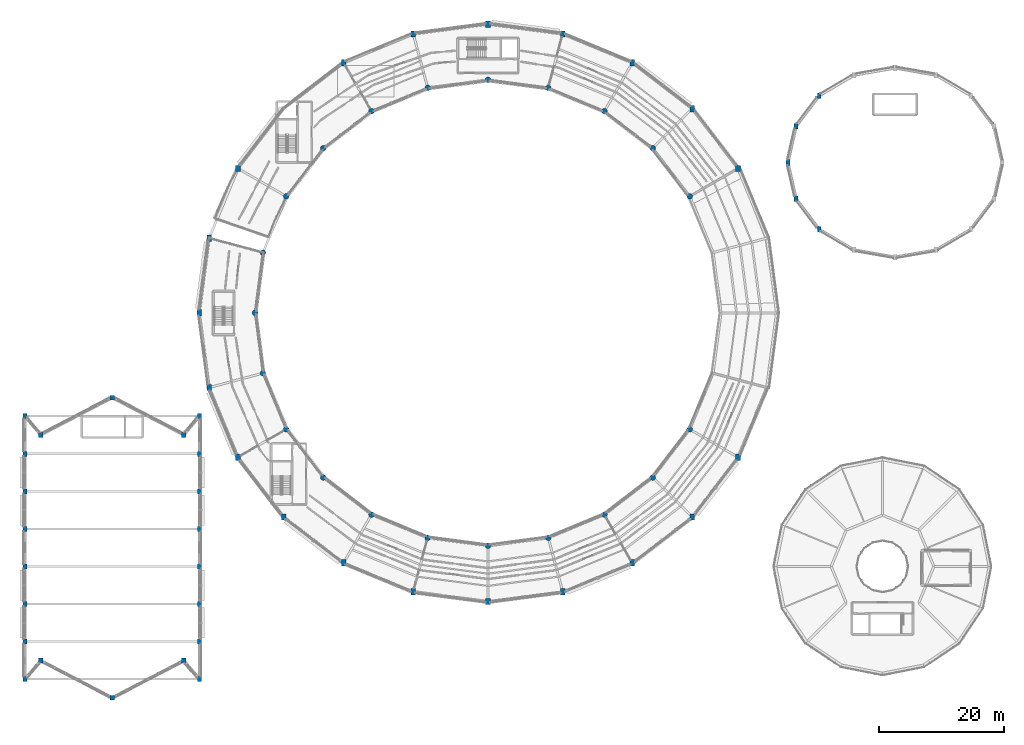
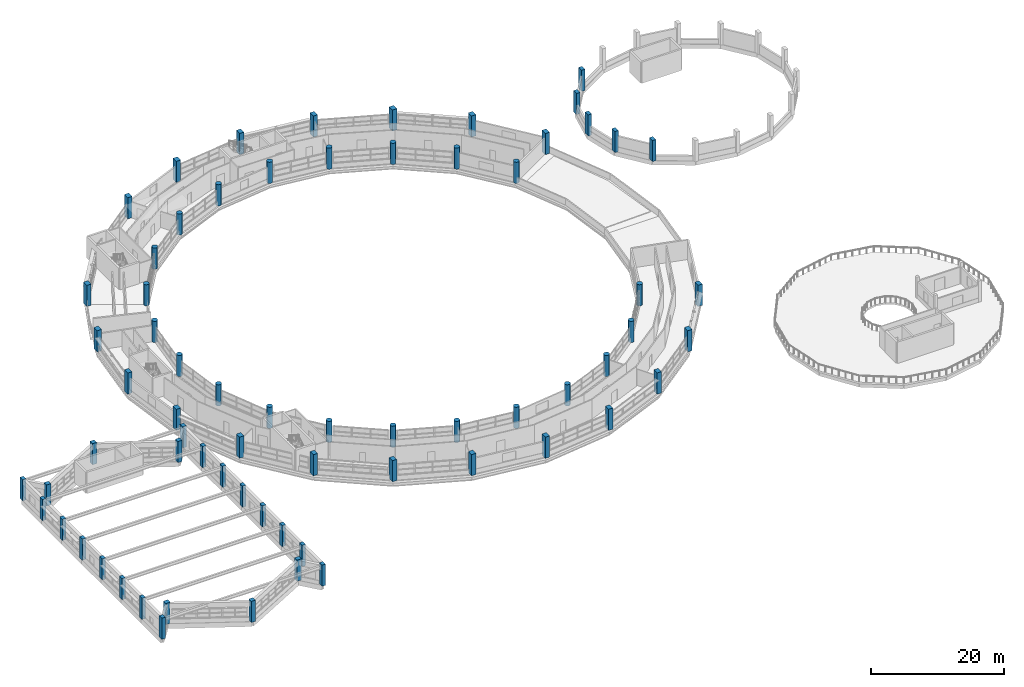
# One storey, part 1 of 108: 68 columns.
"""IFC4 building model written with IfcOpenShell, lengths in metres."""

from ifc_helpers import new_model, si_unit, direction, frame, origin, origin_2d, place, context, subcontext, project, spatial, rectangle, circle, extrude, material, material_profile, profile_set, type_object, element, save


model = new_model("IFC4")

# Units and contexts
model_context = context("Model", 3, precision=1e-05, world=origin(), true_north=direction((0.0, 1.0)))
body_context = subcontext(model_context, "Body", "Model", "MODEL_VIEW")
ifc_project = project(units=[si_unit("LENGTHUNIT", "METRE"), si_unit("AREAUNIT", "SQUARE_METRE"), si_unit("VOLUMEUNIT", "CUBIC_METRE"), si_unit("PLANEANGLEUNIT", "RADIAN"), si_unit("MASSUNIT", "GRAM", prefix="KILO")], contexts=[model_context])

# Site, building, storey
site_placement = place(None, origin())
site = spatial("IfcSite", under=ifc_project, at=site_placement, CompositionType="ELEMENT")
building_placement = place(site_placement, origin())
building = spatial("IfcBuilding", under=site, at=building_placement, Name="Vespera Passage Community Centre", CompositionType="ELEMENT")
storey_placement = place(building_placement, frame((0.0, 0.0, 12.60009765625)))
storey = spatial("IfcBuildingStorey", under=building, at=storey_placement, Name="L03", CompositionType="ELEMENT", Elevation=12.60009765625)

# Columns
ifc_material_1 = material(Name="Concrete f'c 45 MPa", Category="concrete")
ifc_material_profile_1 = material_profile(ifc_material_1, rectangle(XDim=0.75, YDim=1.0, at=origin_2d()), Name="RC1000X750")
ifc_profile_set_1 = profile_set([ifc_material_profile_1], Name="Concrete f'c 45 MPa")
column_type_1 = type_object("IfcColumnType", Name="COL-RC1000X750E", PredefinedType="COLUMN", material=ifc_profile_set_1)
for number, where, z_axis, x_axis, name in (
    (1, (101.050048828125, 105.423828125, 0.0), (0.0, 0.0, 1.0), (1.0, 0.0, 0.0), "L03 Column V4-O04"),
    (2, (89.931640625, 110.029296875, 0.0), (0.0, 0.0, 1.0), (1.0, 0.0, 0.0), "L03 Column V4-O05"),
    (3, (78.0, 111.60009765625, 0.0), (0.0, 0.0, 1.0), (1.0, 0.0, 0.0), "L03 Column V4-O06"),
    (4, (66.068359375, 110.029296875, 0.0), (0.0, 0.0, 1.0), (1.0, 0.0, 0.0), "L03 Column V4-O07"),
    (5, (54.949951171875, 105.423828125, 0.0), (0.0, 0.0, 1.0), (1.0, 0.0, 0.0), "L03 Column V4-O08"),
    (6, (38.076171875, 88.550048828125, 0.0), (0.0, 0.0, 1.0), (1.0, 0.0, 0.0), "L03 Column V4-O10"),
    (7, (33.470703125, 77.431640625, 0.0), (0.0, 0.0, 1.0), (1.0, 0.0, 0.0), "L03 Column V4-O11"),
    (8, (31.89990234375, 65.5, 0.0), (0.0, 0.0, 1.0), (1.0, 0.0, 0.0), "L03 Column V4-O12"),
    (9, (33.470703125, 53.568359375, 0.0), (0.0, 0.0, 1.0), (1.0, 0.0, 0.0), "L03 Column V4-O13"),
    (10, (38.076171875, 42.449951171875, 0.0), (0.0, 0.0, 1.0), (1.0, 0.0, 0.0), "L03 Column V4-O14"),
    (11, (45.40234375, 32.90234375, 0.0), (0.0, 0.0, 1.0), (1.0, 0.0, 0.0), "L03 Column V4-O15"),
    (12, (66.068359375, 20.970703125, 0.0), (0.0, 0.0, 1.0), (1.0, 0.0, 0.0), "L03 Column V4-O17"),
    (13, (89.931640625, 20.970703125, 0.0), (0.0, 0.0, 1.0), (1.0, 0.0, 0.0), "L03 Column V4-O19"),
    (14, (117.923828125, 88.550048828125, 0.0), (0.0, 0.0, 1.0), (1.0, 0.0, 0.0), "L03 Column V4-O02"),
    (15, (110.59765625, 98.09765625, 0.0), (0.0, 0.0, 1.0), (1.0, 0.0, 0.0), "L03 Column V4-O03"),
    (16, (54.949951171875, 25.576171875, 0.0), (0.0, 0.0, 1.0), (1.0, 0.0, 0.0), "L03 Column V4-O16"),
    (17, (78.0, 19.39990234375, 0.0), (0.0, 0.0, 1.0), (1.0, 0.0, 0.0), "L03 Column V4-O18"),
    (18, (101.050048828125, 25.576171875, 0.0), (0.0, 0.0, 1.0), (1.0, 0.0, 0.0), "L03 Column V4-O20"),
    (19, (110.59765625, 32.90234375, 0.0), (0.0, 0.0, 1.0), (1.0, 0.0, 0.0), "L03 Column V4-O21"),
    (20, (117.923828125, 42.449951171875, 0.0), (0.0, 0.0, 1.0), (1.0, 0.0, 0.0), "L03 Column V4-O22"),
):
    element("IfcColumn", number, at=place(storey_placement, frame(where, z_axis=z_axis, x_axis=x_axis)), inside=storey, type_object=column_type_1, Name=name, PredefinedType="COLUMN", context=body_context, shape_type="SweptSolid", body=[
        extrude(rectangle(XDim=0.75, YDim=1.0, at=origin_2d()), origin(), (0.0, 0.0, 1.0), 3.89990234375),
    ])
ifc_material_2 = material(Name="Concrete f'c 45 MPa", Category="concrete")
ifc_material_profile_2 = material_profile(ifc_material_2, rectangle(XDim=0.75, YDim=0.75, at=origin_2d()), Name="RC750X750")
ifc_profile_set_2 = profile_set([ifc_material_profile_2], Name="Concrete f'c 45 MPa")
column_type_2 = type_object("IfcColumnType", Name="COL-RC750E", PredefinedType="COLUMN", material=ifc_profile_set_2)
for number, where, z_axis, x_axis, name in (
    (21, (29.42724609375, 46.00146484375, 0.0), (0.0, 0.0, 1.0), (1.0, 0.0, 0.0), "L03 Column V1-AN1"),
    (22, (18.0, 51.949951171875, 0.0), (0.0, 0.0, 1.0), (1.0, 0.0, 0.0), "L03 Column V1-AN2"),
    (23, (6.57275390625, 46.00146484375, 0.0), (0.0, 0.0, 1.0), (1.0, 0.0, 0.0), "L03 Column V1-AN3"),
    (24, (6.57275390625, 9.99853515625, 0.0), (0.0, 0.0, 1.0), (1.0, 0.0, 0.0), "L03 Column V1-AS1"),
    (25, (18.0, 4.050048828125, 0.0), (0.0, 0.0, 1.0), (1.0, 0.0, 0.0), "L03 Column V1-AS2"),
    (26, (29.42724609375, 9.99853515625, 0.0), (0.0, 0.0, 1.0), (1.0, 0.0, 0.0), "L03 Column V1-AS3"),
):
    element("IfcColumn", number, at=place(storey_placement, frame(where, z_axis=z_axis, x_axis=x_axis)), inside=storey, type_object=column_type_2, Name=name, PredefinedType="COLUMN", context=body_context, shape_type="SweptSolid", body=[
        extrude(rectangle(XDim=0.75, YDim=0.75, at=origin_2d()), origin(), (0.0, 0.0, 1.0), 3.89990234375),
    ])
ifc_material_3 = material(Name="Concrete f'c 45 MPa", Category="concrete")
ifc_material_profile_3 = material_profile(ifc_material_3, rectangle(XDim=0.60009765625, YDim=0.800048828125, at=origin_2d()), Name="RC800X600")
ifc_profile_set_3 = profile_set([ifc_material_profile_3], Name="Concrete f'c 45 MPa")
column_type_3 = type_object("IfcColumnType", Name="COL-RC800X600E", PredefinedType="COLUMN", material=ifc_profile_set_3)
for number, where, z_axis, x_axis, name in (
    (27, (31.949951171875, 7.0, 0.0), (0.0, 0.0, 1.0), (1.0, 0.0, 0.0), "L03 Column V1-E1"),
    (28, (31.949951171875, 13.0, 0.0), (0.0, 0.0, 1.0), (1.0, 0.0, 0.0), "L03 Column V1-E2"),
    (29, (31.949951171875, 19.0, 0.0), (0.0, 0.0, 1.0), (1.0, 0.0, 0.0), "L03 Column V1-E3"),
    (30, (31.949951171875, 25.0, 0.0), (0.0, 0.0, 1.0), (1.0, 0.0, 0.0), "L03 Column V1-E4"),
    (31, (31.949951171875, 31.0, 0.0), (0.0, 0.0, 1.0), (1.0, 0.0, 0.0), "L03 Column V1-E5"),
    (32, (31.949951171875, 37.0, 0.0), (0.0, 0.0, 1.0), (1.0, 0.0, 0.0), "L03 Column V1-E6"),
    (33, (31.949951171875, 43.0, 0.0), (0.0, 0.0, 1.0), (1.0, 0.0, 0.0), "L03 Column V1-E7"),
    (34, (31.949951171875, 49.0, 0.0), (0.0, 0.0, 1.0), (1.0, 0.0, 0.0), "L03 Column V1-E8"),
    (35, (4.050048828125, 7.0, 0.0), (0.0, 0.0, 1.0), (1.0, 0.0, 0.0), "L03 Column V1-W1"),
    (36, (4.050048828125, 13.0, 0.0), (0.0, 0.0, 1.0), (1.0, 0.0, 0.0), "L03 Column V1-W2"),
    (37, (4.050048828125, 19.0, 0.0), (0.0, 0.0, 1.0), (1.0, 0.0, 0.0), "L03 Column V1-W3"),
    (38, (4.050048828125, 25.0, 0.0), (0.0, 0.0, 1.0), (1.0, 0.0, 0.0), "L03 Column V1-W4"),
    (39, (4.050048828125, 31.0, 0.0), (0.0, 0.0, 1.0), (1.0, 0.0, 0.0), "L03 Column V1-W5"),
    (40, (4.050048828125, 37.0, 0.0), (0.0, 0.0, 1.0), (1.0, 0.0, 0.0), "L03 Column V1-W6"),
    (41, (4.050048828125, 43.0, 0.0), (0.0, 0.0, 1.0), (1.0, 0.0, 0.0), "L03 Column V1-W7"),
    (42, (4.050048828125, 49.0, 0.0), (0.0, 0.0, 1.0), (1.0, 0.0, 0.0), "L03 Column V1-W8"),
):
    element("IfcColumn", number, at=place(storey_placement, frame(where, z_axis=z_axis, x_axis=x_axis)), inside=storey, type_object=column_type_3, Name=name, PredefinedType="COLUMN", context=body_context, shape_type="SweptSolid", body=[
        extrude(rectangle(XDim=0.60009765625, YDim=0.800048828125, at=origin_2d()), origin(), (0.0, 0.0, 1.0), 3.89990234375),
    ])
ifc_material_4 = material(Name="Concrete f'c 45 MPa", Category="concrete")
ifc_material_profile_4 = material_profile(ifc_material_4, circle(Radius=0.449951171875, at=origin_2d()), Name="RC900DIA")
ifc_profile_set_4 = profile_set([ifc_material_profile_4], Name="Concrete f'c 45 MPa")
column_type_4 = type_object("IfcColumnType", Name="COL-RC900DIAE", PredefinedType="COLUMN", material=ifc_profile_set_4)
for number, where, z_axis, x_axis, name in (
    (43, (96.60009765625, 97.716064453125, 0.0), (0.0, 0.0, 1.0), (1.0, 0.0, 0.0), "L03 Column V4-I04"),
    (44, (87.628173828125, 101.432373046875, 0.0), (0.0, 0.0, 1.0), (1.0, 0.0, 0.0), "L03 Column V4-I05"),
    (45, (78.0, 102.699951171875, 0.0), (0.0, 0.0, 1.0), (1.0, 0.0, 0.0), "L03 Column V4-I06"),
    (46, (68.371826171875, 101.432373046875, 0.0), (0.0, 0.0, 1.0), (1.0, 0.0, 0.0), "L03 Column V4-I07"),
    (47, (59.39990234375, 97.716064453125, 0.0), (0.0, 0.0, 1.0), (1.0, 0.0, 0.0), "L03 Column V4-I08"),
    (48, (51.695556640625, 91.804443359375, 0.0), (0.0, 0.0, 1.0), (1.0, 0.0, 0.0), "L03 Column V4-I09"),
    (49, (45.783935546875, 84.10009765625, 0.0), (0.0, 0.0, 1.0), (1.0, 0.0, 0.0), "L03 Column V4-I10"),
    (50, (42.067626953125, 75.128173828125, 0.0), (0.0, 0.0, 1.0), (1.0, 0.0, 0.0), "L03 Column V4-I11"),
    (51, (40.800048828125, 65.5, 0.0), (0.0, 0.0, 1.0), (1.0, 0.0, 0.0), "L03 Column V4-I12"),
    (52, (42.067626953125, 55.871826171875, 0.0), (0.0, 0.0, 1.0), (1.0, 0.0, 0.0), "L03 Column V4-I13"),
    (53, (45.783935546875, 46.89990234375, 0.0), (0.0, 0.0, 1.0), (1.0, 0.0, 0.0), "L03 Column V4-I14"),
    (54, (51.695556640625, 39.195556640625, 0.0), (0.0, 0.0, 1.0), (1.0, 0.0, 0.0), "L03 Column V4-I15"),
    (55, (68.371826171875, 29.567626953125, 0.0), (0.0, 0.0, 1.0), (1.0, 0.0, 0.0), "L03 Column V4-I17"),
    (56, (87.628173828125, 29.567626953125, 0.0), (0.0, 0.0, 1.0), (1.0, 0.0, 0.0), "L03 Column V4-I19"),
    (57, (110.216064453125, 84.10009765625, 0.0), (0.0, 0.0, 1.0), (1.0, 0.0, 0.0), "L03 Column V4-I02"),
    (58, (104.304443359375, 91.804443359375, 0.0), (0.0, 0.0, 1.0), (1.0, 0.0, 0.0), "L03 Column V4-I03"),
    (59, (59.39990234375, 33.283935546875, 0.0), (0.0, 0.0, 1.0), (1.0, 0.0, 0.0), "L03 Column V4-I16"),
    (60, (78.0, 28.300048828125, 0.0), (0.0, 0.0, 1.0), (1.0, 0.0, 0.0), "L03 Column V4-I18"),
    (61, (96.60009765625, 33.283935546875, 0.0), (0.0, 0.0, 1.0), (1.0, 0.0, 0.0), "L03 Column V4-I20"),
    (62, (104.304443359375, 39.195556640625, 0.0), (0.0, 0.0, 1.0), (1.0, 0.0, 0.0), "L03 Column V4-I21"),
    (63, (110.216064453125, 46.89990234375, 0.0), (0.0, 0.0, 1.0), (1.0, 0.0, 0.0), "L03 Column V4-I22"),
):
    element("IfcColumn", number, at=place(storey_placement, frame(where, z_axis=z_axis, x_axis=x_axis)), inside=storey, type_object=column_type_4, Name=name, PredefinedType="COLUMN", context=body_context, shape_type="SweptSolid", body=[
        extrude(circle(Radius=0.449951171875, at=origin_2d()), origin(), (0.0, 0.0, 1.0), 3.89990234375),
    ])
ifc_material_5 = material(Name="Concrete f'c 45 MPa", Category="concrete")
ifc_material_profile_5 = material_profile(ifc_material_5, rectangle(XDim=0.60009765625, YDim=0.89990234375, at=origin_2d()), Name="RC900X600")
ifc_profile_set_5 = profile_set([ifc_material_profile_5], Name="Concrete f'c 45 MPa")
column_type_5 = type_object("IfcColumnType", Name="COL-RC900X600E", PredefinedType="COLUMN", material=ifc_profile_set_5)
for number, where, z_axis, x_axis, name in (
    (64, (130.908447265625, 100.17724609375, 0.0), (0.0, 0.0, 1.0), (1.0, 0.0, 0.0), "L03 Column V2-P07"),
    (65, (127.20166015625, 95.278564453125, 0.0), (0.0, 0.0, 1.0), (1.0, 0.0, 0.0), "L03 Column V2-P08"),
    (66, (125.89990234375, 89.5, 0.0), (0.0, 0.0, 1.0), (1.0, 0.0, 0.0), "L03 Column V2-P09"),
    (67, (127.20166015625, 83.721435546875, 0.0), (0.0, 0.0, 1.0), (1.0, 0.0, 0.0), "L03 Column V2-P10"),
    (68, (130.908447265625, 78.82275390625, 0.0), (0.0, 0.0, 1.0), (1.0, 0.0, 0.0), "L03 Column V2-P11"),
):
    element("IfcColumn", number, at=place(storey_placement, frame(where, z_axis=z_axis, x_axis=x_axis)), inside=storey, type_object=column_type_5, Name=name, PredefinedType="COLUMN", context=body_context, shape_type="SweptSolid", body=[
        extrude(rectangle(XDim=0.60009765625, YDim=0.89990234375, at=origin_2d()), origin(), (0.0, 0.0, 1.0), 3.89990234375),
    ])

save(model, "model.ifc")
